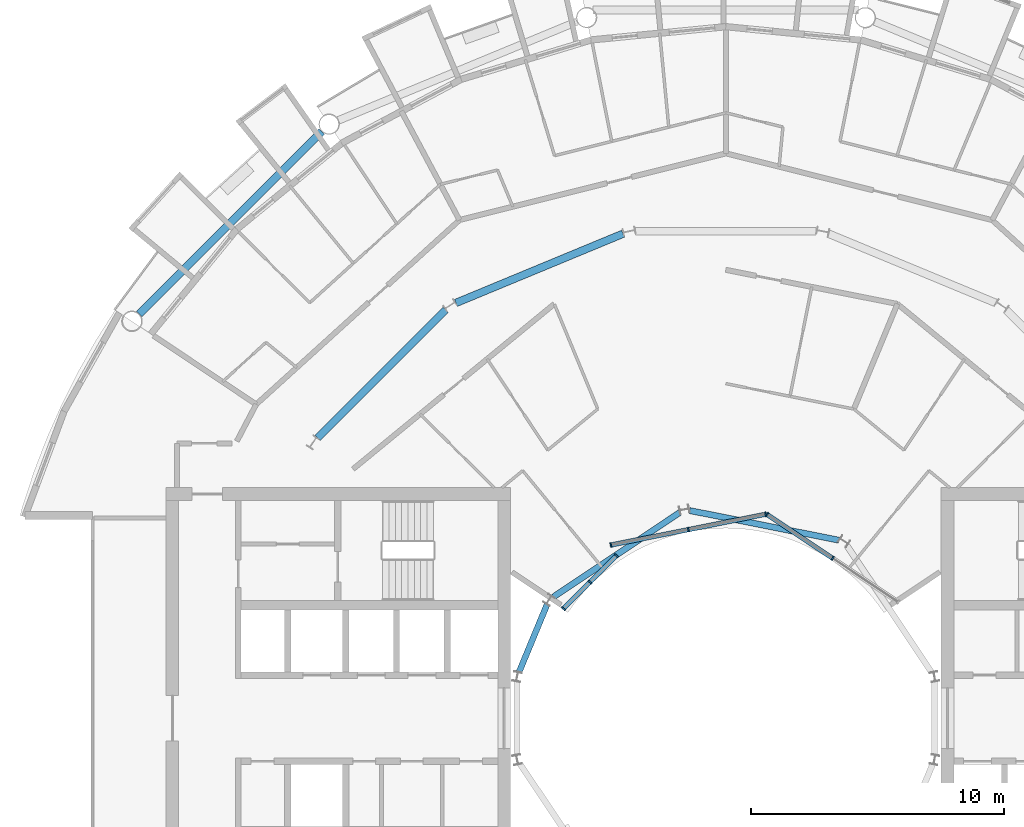
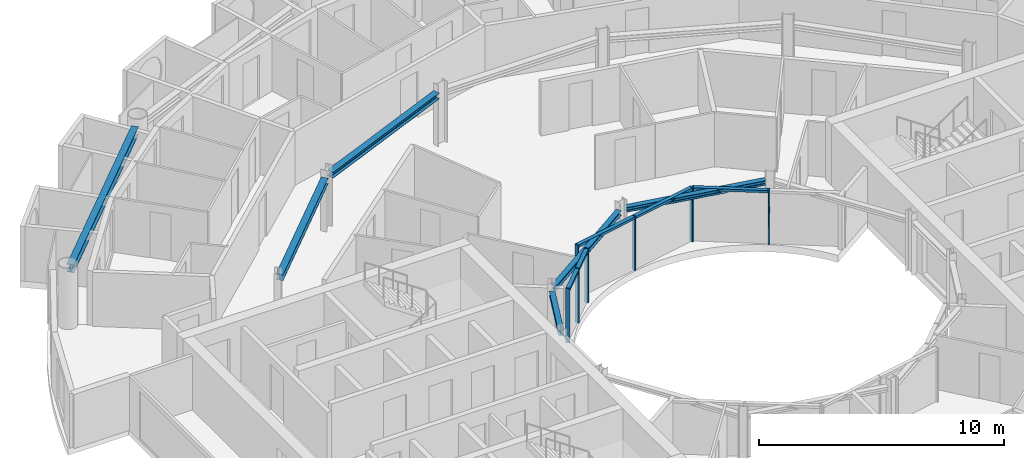
# One storey, part 8 of 26: 13 members, 6 beams, 3 elements without a shape of their own.
"""IFC4 building model written with IfcOpenShell, lengths in metres."""

from ifc_helpers import new_model, si_unit, direction, frame, origin, origin_2d, place, context, subcontext, project, spatial, rectangle, i_section, extrude, material, layer, layer_set, material_profile, profile_set, type_object, element, aggregate, save


model = new_model("IFC4")

# Units and contexts
model_context = context("Model", 3, precision=1e-05, world=origin(), true_north=direction((0.0, 1.0)))
body_context = subcontext(model_context, "Body", "Model", "MODEL_VIEW")
ifc_project = project(units=[si_unit("LENGTHUNIT", "METRE"), si_unit("AREAUNIT", "SQUARE_METRE"), si_unit("VOLUMEUNIT", "CUBIC_METRE"), si_unit("PLANEANGLEUNIT", "RADIAN"), si_unit("MASSUNIT", "GRAM", prefix="KILO")], contexts=[model_context])

# Site, building, storey
site_placement = place(None, origin())
site = spatial("IfcSite", under=ifc_project, at=site_placement, CompositionType="ELEMENT")
building_placement = place(site_placement, origin())
building = spatial("IfcBuilding", under=site, at=building_placement, Name="Maasbend Ring Residences", CompositionType="ELEMENT")
storey_placement = place(building_placement, frame((0.0, 0.0, 161.60009765625)))
storey = spatial("IfcBuildingStorey", under=building, at=storey_placement, Name="L46", CompositionType="ELEMENT", Elevation=161.60009765625)

# Curtain wall, members
ifc_material_1 = material(Name="Aluminium and clear glass", Category="aluminium")
ifc_layer = layer(ifc_material_1, 0.179931640625)
ifc_layer_set = layer_set([ifc_layer], Name="CW-W")
curtain_wall_type = type_object("IfcCurtainWallType", Name="CW-W", PredefinedType="NOTDEFINED", material=ifc_layer_set)
curtain_wall_1_placement = place(storey_placement, origin())
curtain_wall_1 = element("IfcCurtainWall", 1, at=curtain_wall_1_placement, inside=storey, type_object=curtain_wall_type, Name="Well curtain wall N1", PredefinedType="NOTDEFINED")
ifc_material_2 = material(Name="Aluminium 6063-T6", Category="aluminium")
ifc_material_profile_1 = material_profile(ifc_material_2, rectangle(XDim=0.179931640625, YDim=0.06005859375, at=origin_2d()), Name="AL 180x60")
ifc_profile_set_1 = profile_set([ifc_material_profile_1], Name="Aluminium 6063-T6")
member_type_1 = type_object("IfcMemberType", Name="CWM-W", PredefinedType="MULLION", material=ifc_profile_set_1)
member_1_placement = place(storey_placement, frame((4.216796875, 6.310791015625, 0.0), z_axis=(0.0, 0.0, 1.0), x_axis=(-0.55557023302, -0.831469612303, 0.0)))
member_1 = element("IfcMember", 2, at=member_1_placement, type_object=member_type_1, Name="Mullion well face", PredefinedType="MULLION", context=body_context, shape_type="SweptSolid", body=[
    extrude(rectangle(XDim=0.179931640625, YDim=0.06005859375, at=origin_2d()), origin(), (0.0, 0.0, 1.0), 2.699951171875),
])
member_2_placement = place(storey_placement, frame((1.627685546875, 8.040771484375, 0.0), z_axis=(0.0, 0.0, 1.0), x_axis=(-0.55557023302, -0.831469612303, 0.0)))
member_2 = element("IfcMember", 3, at=member_2_placement, type_object=member_type_1, Name="Mullion well face", PredefinedType="MULLION", context=body_context, shape_type="SweptSolid", body=[
    extrude(rectangle(XDim=0.179931640625, YDim=0.06005859375, at=origin_2d()), origin(), (0.0, 0.0, 1.0), 2.699951171875),
])

curtain_wall_2_placement = place(storey_placement, origin())
curtain_wall_2 = element("IfcCurtainWall", 4, at=curtain_wall_2_placement, inside=storey, type_object=curtain_wall_type, Name="Well curtain wall N2", PredefinedType="NOTDEFINED")
member_3_placement = place(storey_placement, frame((1.5732421875, 8.0517578125, 0.0), z_axis=(0.0, 0.0, 1.0), x_axis=(0.195090322016, -0.980785280403, 0.0)))
member_3 = element("IfcMember", 5, at=member_3_placement, type_object=member_type_1, Name="Mullion well face", PredefinedType="MULLION", context=body_context, shape_type="SweptSolid", body=[
    extrude(rectangle(XDim=0.179931640625, YDim=0.06005859375, at=origin_2d()), origin(), (0.0, 0.0, 1.0), 2.699951171875),
])
member_4_placement = place(storey_placement, frame((-1.480712890625, 7.444091796875, 0.0), z_axis=(0.0, 0.0, 1.0), x_axis=(0.195090322016, -0.980785280403, 0.0)))
member_4 = element("IfcMember", 6, at=member_4_placement, type_object=member_type_1, Name="Mullion well face", PredefinedType="MULLION", context=body_context, shape_type="SweptSolid", body=[
    extrude(rectangle(XDim=0.179931640625, YDim=0.06005859375, at=origin_2d()), origin(), (0.0, 0.0, 1.0), 2.699951171875),
])
member_5_placement = place(storey_placement, frame((-4.53466796875, 6.836669921875, 0.0), z_axis=(0.0, 0.0, 1.0), x_axis=(0.195090322016, -0.980785280403, 0.0)))
member_5 = element("IfcMember", 7, at=member_5_placement, type_object=member_type_1, Name="Mullion well face", PredefinedType="MULLION", context=body_context, shape_type="SweptSolid", body=[
    extrude(rectangle(XDim=0.179931640625, YDim=0.06005859375, at=origin_2d()), origin(), (0.0, 0.0, 1.0), 2.699951171875),
])

curtain_wall_3_placement = place(storey_placement, origin())
curtain_wall_3 = element("IfcCurtainWall", 8, at=curtain_wall_3_placement, inside=storey, type_object=curtain_wall_type, Name="Well curtain wall N3", PredefinedType="NOTDEFINED")
member_6_placement = place(storey_placement, frame((-4.320556640625, 6.413330078125, 0.0), z_axis=(0.0, 0.0, 1.0), x_axis=(0.707106781187, -0.707106781187, 0.0)))
member_6 = element("IfcMember", 9, at=member_6_placement, type_object=member_type_1, Name="Mullion well face", PredefinedType="MULLION", context=body_context, shape_type="SweptSolid", body=[
    extrude(rectangle(XDim=0.179931640625, YDim=0.06005859375, at=origin_2d()), origin(), (0.0, 0.0, 1.0), 2.699951171875),
])
member_7_placement = place(storey_placement, frame((-5.366943359375, 5.366943359375, 0.0), z_axis=(0.0, 0.0, 1.0), x_axis=(0.707106781187, -0.707106781187, 0.0)))
member_7 = element("IfcMember", 10, at=member_7_placement, type_object=member_type_1, Name="Mullion well face", PredefinedType="MULLION", context=body_context, shape_type="SweptSolid", body=[
    extrude(rectangle(XDim=0.179931640625, YDim=0.06005859375, at=origin_2d()), origin(), (0.0, 0.0, 1.0), 2.699951171875),
])
member_8_placement = place(storey_placement, frame((-6.413330078125, 4.320556640625, 0.0), z_axis=(0.0, 0.0, 1.0), x_axis=(0.707106781187, -0.707106781187, 0.0)))
member_8 = element("IfcMember", 11, at=member_8_placement, type_object=member_type_1, Name="Mullion well face", PredefinedType="MULLION", context=body_context, shape_type="SweptSolid", body=[
    extrude(rectangle(XDim=0.179931640625, YDim=0.06005859375, at=origin_2d()), origin(), (0.0, 0.0, 1.0), 2.699951171875),
])

# Member
ifc_material_3 = material(Name="Aluminium 6063-T6", Category="aluminium")
ifc_material_profile_2 = material_profile(ifc_material_3, rectangle(XDim=0.179931640625, YDim=0.1201171875, at=origin_2d()), Name="AL 180x120")
ifc_profile_set_2 = profile_set([ifc_material_profile_2], Name="Aluminium 6063-T6")
member_type_2 = type_object("IfcMemberType", Name="CWT-W", PredefinedType="USERDEFINED", material=ifc_profile_set_2)
member_9_placement = place(storey_placement, frame((4.19189453125, 6.32763671875, 2.639892578125), z_axis=(-0.831496422459, 0.555530106689, 0.0), x_axis=(-0.555530106689, -0.831496422459, 0.0)))
member_9 = element("IfcMember", 12, at=member_9_placement, type_object=member_type_2, Name="Transom well face", ObjectType="TRANSOM", PredefinedType="USERDEFINED", context=body_context, shape_type="SweptSolid", body=[
    extrude(rectangle(XDim=0.179931640625, YDim=0.1201171875, at=origin_2d()), origin(), (0.0, 0.0, 1.0), 3.053955078125),
])

aggregate(curtain_wall_1, [member_1, member_2, member_9])

member_10_placement = place(storey_placement, frame((1.5439453125, 8.0458984375, 2.639892578125), z_axis=(-0.980776956105, -0.195132166424, 0.0), x_axis=(0.195132166424, -0.980776956105, 0.0)))
member_10 = element("IfcMember", 13, at=member_10_placement, type_object=member_type_2, Name="Transom well face", ObjectType="TRANSOM", PredefinedType="USERDEFINED", context=body_context, shape_type="SweptSolid", body=[
    extrude(rectangle(XDim=0.179931640625, YDim=0.1201171875, at=origin_2d()), origin(), (0.0, 0.0, 1.0), 3.053955078125),
])

member_11_placement = place(storey_placement, frame((-1.51025390625, 7.438232421875, 2.639892578125), z_axis=(-0.980789210404, -0.19507056353, 0.0), x_axis=(0.19507056353, -0.980789210404, 0.0)))
member_11 = element("IfcMember", 14, at=member_11_placement, type_object=member_type_2, Name="Transom well face", ObjectType="TRANSOM", PredefinedType="USERDEFINED", context=body_context, shape_type="SweptSolid", body=[
    extrude(rectangle(XDim=0.179931640625, YDim=0.1201171875, at=origin_2d()), origin(), (0.0, 0.0, 1.0), 3.0537109375),
])

aggregate(curtain_wall_2, [member_3, member_4, member_5, member_10, member_11])

member_12_placement = place(storey_placement, frame((-4.341796875, 6.39208984375, 2.639892578125), z_axis=(-0.707106781187, -0.707106781187, 0.0), x_axis=(0.707106781187, -0.707106781187, 0.0)))
member_12 = element("IfcMember", 15, at=member_12_placement, type_object=member_type_2, Name="Transom well face", ObjectType="TRANSOM", PredefinedType="USERDEFINED", context=body_context, shape_type="SweptSolid", body=[
    extrude(rectangle(XDim=0.179931640625, YDim=0.1201171875, at=origin_2d()), origin(), (0.0, 0.0, 1.0), 1.419677734375),
])

member_13_placement = place(storey_placement, frame((-5.38818359375, 5.345703125, 2.639892578125), z_axis=(-0.707106781187, -0.707106781187, 0.0), x_axis=(0.707106781187, -0.707106781187, 0.0)))
member_13 = element("IfcMember", 16, at=member_13_placement, type_object=member_type_2, Name="Transom well face", ObjectType="TRANSOM", PredefinedType="USERDEFINED", context=body_context, shape_type="SweptSolid", body=[
    extrude(rectangle(XDim=0.179931640625, YDim=0.1201171875, at=origin_2d()), origin(), (0.0, 0.0, 1.0), 1.419677734375),
])

aggregate(curtain_wall_3, [member_6, member_7, member_8, member_12, member_13])

# Beams
ifc_material_4 = material(Name="Steel S355J2", Category="steel")
ifc_material_profile_3 = material_profile(ifc_material_4, i_section(OverallWidth=0.300048828125, OverallDepth=0.2900390625, WebThickness=0.008544921875, FlangeThickness=0.013916015625, FilletRadius=0.027099609375, at=origin_2d()), Name="HEA 300")
ifc_profile_set_3 = profile_set([ifc_material_profile_3], Name="Steel S355J2")
beam_type_1 = type_object("IfcBeamType", Name="Corridor ring beam HEA 300", PredefinedType="BEAM", material=ifc_profile_set_3)
for number, where, z_axis, x_axis, name in (
    (17, (-4.059326171875, 19.1259765625, 2.554931640625), (-0.923871339849, -0.382703210602, 0.0), (0.382703210602, -0.923871339849, 0.0), "Corridor ring beam"),
    (18, (-11.0693359375, 16.11669921875, 2.554931640625), (-0.707106781187, -0.707106781187, 0.0), (0.707106781187, -0.707106781187, 0.0), "Corridor ring beam"),
):
    element("IfcBeam", number, at=place(storey_placement, frame(where, z_axis=z_axis, x_axis=x_axis)), inside=storey, type_object=beam_type_1, Name=name, PredefinedType="BEAM", context=body_context, shape_type="SweptSolid", body=[
        extrude(i_section(OverallWidth=0.300048828125, OverallDepth=0.2900390625, WebThickness=0.008544921875, FlangeThickness=0.013916015625, FilletRadius=0.027099609375, at=origin_2d()), origin(), (0.0, 0.0, 1.0), 7.137939453125),
    ])
ifc_material_5 = material(Name="Steel S355J2", Category="steel")
ifc_material_profile_4 = material_profile(ifc_material_5, i_section(OverallWidth=0.300048828125, OverallDepth=0.39990234375, WebThickness=0.013427734375, FlangeThickness=0.02392578125, FilletRadius=0.027099609375, at=origin_2d()), Name="HEB 400")
ifc_profile_set_4 = profile_set([ifc_material_profile_4], Name="Steel S355J2")
beam_type_2 = type_object("IfcBeamType", Name="Spandrel ring beam HEB 400", PredefinedType="SPANDREL", material=ifc_profile_set_4)
beam_1_placement = place(storey_placement, frame((-15.95458984375, 23.159912109375, 2.5), z_axis=(-0.707106781187, -0.707106781187, 0.0), x_axis=(0.707106781187, -0.707106781187, 0.0)))
element("IfcBeam", 19, at=beam_1_placement, inside=storey, type_object=beam_type_2, Name="Spandrel ring beam", PredefinedType="SPANDREL", context=body_context, shape_type="SweptSolid", body=[
    extrude(i_section(OverallWidth=0.300048828125, OverallDepth=0.39990234375, WebThickness=0.013427734375, FlangeThickness=0.02392578125, FilletRadius=0.027099609375, at=origin_2d()), origin(), (0.0, 0.0, 1.0), 10.18994140625),
])
ifc_material_6 = material(Name="Steel S355J2", Category="steel")
ifc_material_profile_5 = material_profile(ifc_material_6, i_section(OverallWidth=0.239990234375, OverallDepth=0.22998046875, WebThickness=0.007568359375, FlangeThickness=0.011962890625, FilletRadius=0.02099609375, at=origin_2d()), Name="HEA 240")
ifc_profile_set_5 = profile_set([ifc_material_profile_5], Name="Steel S355J2")
beam_type_3 = type_object("IfcBeamType", Name="Well edge beam HEA 240", PredefinedType="BEAM", material=ifc_profile_set_5)
beam_2_placement = place(storey_placement, frame((4.459716796875, 7.025390625, 2.5849609375), z_axis=(-0.980778695042, 0.195123425945, 0.0), x_axis=(-0.195123425945, -0.980778695042, 0.0)))
element("IfcBeam", 20, at=beam_2_placement, inside=storey, type_object=beam_type_3, Name="Well edge beam", PredefinedType="BEAM", context=body_context, shape_type="SweptSolid", body=[
    extrude(i_section(OverallWidth=0.239990234375, OverallDepth=0.22998046875, WebThickness=0.007568359375, FlangeThickness=0.011962890625, FilletRadius=0.02099609375, at=origin_2d()), origin(), (0.0, 0.0, 1.0), 6.007080078125),
])
beam_3_placement = place(storey_placement, frame((-1.814208984375, 8.121337890625, 2.5849609375), z_axis=(-0.831480850227, -0.555553413909, 0.0), x_axis=(0.555553413909, -0.831480850227, 0.0)))
element("IfcBeam", 21, at=beam_3_placement, inside=storey, type_object=beam_type_3, Name="Well edge beam", PredefinedType="BEAM", context=body_context, shape_type="SweptSolid", body=[
    extrude(i_section(OverallWidth=0.239990234375, OverallDepth=0.22998046875, WebThickness=0.007568359375, FlangeThickness=0.011962890625, FilletRadius=0.02099609375, at=origin_2d()), origin(), (0.0, 0.0, 1.0), 6.0068359375),
])
beam_4_placement = place(storey_placement, frame((-7.060302734375, 4.483154296875, 2.5849609375), z_axis=(-0.382748596828, -0.923852537814, 0.0), x_axis=(0.923852537814, -0.382748596828, 0.0)))
element("IfcBeam", 22, at=beam_4_placement, inside=storey, type_object=beam_type_3, Name="Well edge beam", PredefinedType="BEAM", context=body_context, shape_type="SweptSolid", body=[
    extrude(i_section(OverallWidth=0.239990234375, OverallDepth=0.22998046875, WebThickness=0.007568359375, FlangeThickness=0.011962890625, FilletRadius=0.02099609375, at=origin_2d()), origin(), (0.0, 0.0, 1.0), 2.8798828125),
])

save(model, "model.ifc")
